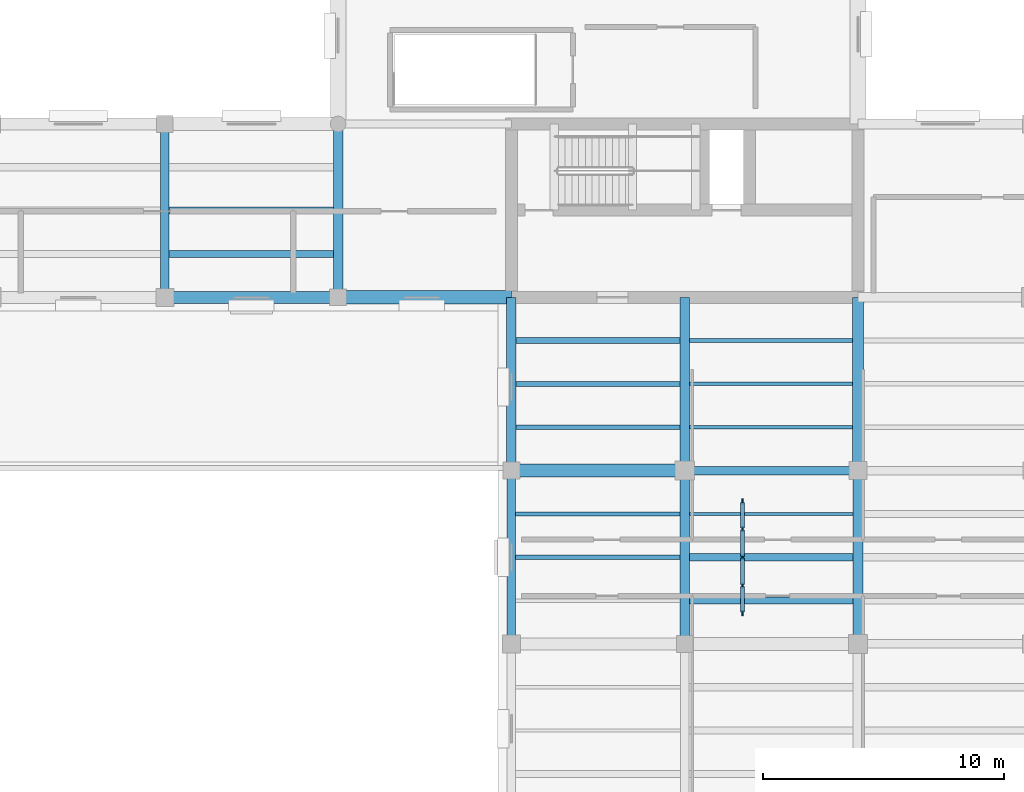
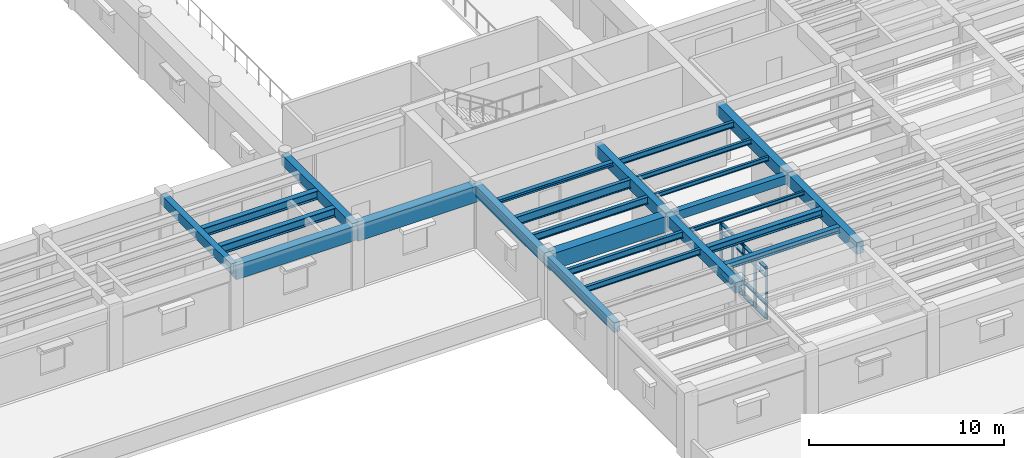
# One storey, part 8 of 76: 25 beams, 21 members, 1 element without a shape of its own.
"""IFC4 building model written with IfcOpenShell, lengths in metres."""

from ifc_helpers import new_model, si_unit, direction, frame, origin, origin_2d, place, context, subcontext, project, spatial, rectangle, i_section, extrude, material, material_profile, profile_set, type_object, element, aggregate, save


model = new_model("IFC4")

# Units and contexts
model_context = context("Model", 3, precision=1e-05, world=origin(), true_north=direction((0.0, 1.0)))
body_context = subcontext(model_context, "Body", "Model", "MODEL_VIEW")
ifc_project = project(units=[si_unit("LENGTHUNIT", "METRE"), si_unit("AREAUNIT", "SQUARE_METRE"), si_unit("VOLUMEUNIT", "CUBIC_METRE"), si_unit("PLANEANGLEUNIT", "RADIAN"), si_unit("MASSUNIT", "GRAM", prefix="KILO")], contexts=[model_context])

# Site, building, storey
site_placement = place(None, origin())
site = spatial("IfcSite", under=ifc_project, at=site_placement, CompositionType="ELEMENT")
building_placement = place(site_placement, origin())
building = spatial("IfcBuilding", under=site, at=building_placement, Name="Mithqara Police Headquarters", CompositionType="ELEMENT")
storey_placement = place(building_placement, frame((0.0, 0.0, 5.39990234375)))
storey = spatial("IfcBuildingStorey", under=building, at=storey_placement, Name="L01", CompositionType="ELEMENT", Elevation=5.39990234375)

# Beams
ifc_material_1 = material(Name="Steel S355JR", Category="steel")
ifc_material_profile_1 = material_profile(ifc_material_1, i_section(OverallWidth=0.300048828125, OverallDepth=0.360107421875, WebThickness=0.012451171875, FlangeThickness=0.0224609375, FilletRadius=0.027099609375, at=origin_2d()), Name="HEB 360")
ifc_profile_set_1 = profile_set([ifc_material_profile_1], Name="Steel S355JR")
beam_type_1 = type_object("IfcBeamType", Name="BEAM HEB360", PredefinedType="BEAM", material=ifc_profile_set_1)
beam_1_placement = place(storey_placement, frame((87.199951171875, 15.60009765625, 3.739990234375), z_axis=(1.0, 0.0, 0.0), x_axis=(0.0, 1.0, 0.0)))
element("IfcBeam", 1, at=beam_1_placement, inside=storey, type_object=beam_type_1, Name="L01 Composite Steel Joist 13-14/C.1", PredefinedType="BEAM", context=body_context, shape_type="SweptSolid", body=[
    extrude(i_section(OverallWidth=0.300048828125, OverallDepth=0.360107421875, WebThickness=0.012451171875, FlangeThickness=0.0224609375, FilletRadius=0.027099609375, at=origin_2d()), origin(), (0.0, 0.0, 1.0), 6.800048828125),
])
ifc_material_profile_2 = material_profile(ifc_material_1, i_section(OverallWidth=0.300048828125, OverallDepth=0.449951171875, WebThickness=0.013916015625, FlangeThickness=0.02587890625, FilletRadius=0.027099609375, at=origin_2d()), Name="HEB 450")
ifc_profile_set_2 = profile_set([ifc_material_profile_2], Name="Steel S355JR")
beam_type_2 = type_object("IfcBeamType", Name="BEAM HEB450", PredefinedType="BEAM", material=ifc_profile_set_2)
beam_2_placement = place(storey_placement, frame((87.199951171875, 17.39990234375, 3.695068359375), z_axis=(1.0, 0.0, 0.0), x_axis=(0.0, 1.0, 0.0)))
element("IfcBeam", 2, at=beam_2_placement, inside=storey, type_object=beam_type_2, Name="L01 Composite Steel Joist 13-14/C.2", PredefinedType="BEAM", context=body_context, shape_type="SweptSolid", body=[
    extrude(i_section(OverallWidth=0.300048828125, OverallDepth=0.449951171875, WebThickness=0.013916015625, FlangeThickness=0.02587890625, FilletRadius=0.027099609375, at=origin_2d()), origin(), (0.0, 0.0, 1.0), 6.800048828125),
])
ifc_material_profile_3 = material_profile(ifc_material_1, i_section(OverallWidth=0.300048828125, OverallDepth=0.550048828125, WebThickness=0.014892578125, FlangeThickness=0.029052734375, FilletRadius=0.027099609375, at=origin_2d()), Name="HEB 550")
ifc_profile_set_3 = profile_set([ifc_material_profile_3], Name="Steel S355JR")
beam_type_3 = type_object("IfcBeamType", Name="BEAM HEB550", PredefinedType="BEAM", material=ifc_profile_set_3)
for number, where, z_axis, x_axis, name in (
    (3, (65.574951171875, 30.0, 3.64501953125), (1.0, 0.0, 0.0), (0.0, 1.0, 0.0), "L01 Composite Steel Joist 10-11/E.1"),
    (4, (65.574951171875, 31.800048828125, 3.64501953125), (1.0, 0.0, 0.0), (0.0, 1.0, 0.0), "L01 Composite Steel Joist 10-11/E.2"),
):
    element("IfcBeam", number, at=place(storey_placement, frame(where, z_axis=z_axis, x_axis=x_axis)), inside=storey, type_object=beam_type_3, Name=name, PredefinedType="BEAM", context=body_context, shape_type="SweptSolid", body=[
        extrude(i_section(OverallWidth=0.300048828125, OverallDepth=0.550048828125, WebThickness=0.014892578125, FlangeThickness=0.029052734375, FilletRadius=0.027099609375, at=origin_2d()), origin(), (0.0, 0.0, 1.0), 6.824951171875),
    ])
ifc_material_2 = material(Name="Concrete C40/50", Category="concrete")
ifc_material_profile_4 = material_profile(ifc_material_2, rectangle(XDim=0.35009765625, YDim=0.550048828125, at=origin_2d()), Name="RC 350x550")
ifc_profile_set_4 = profile_set([ifc_material_profile_4], Name="Concrete C40/50")
beam_type_4 = type_object("IfcBeamType", Name="BEAM RC350X550", PredefinedType="BEAM", material=ifc_profile_set_4)
beam_3_placement = place(storey_placement, frame((87.0, 21.0, 3.64501953125), z_axis=(1.0, 0.0, 0.0), x_axis=(0.0, 1.0, 0.0)))
element("IfcBeam", 5, at=beam_3_placement, inside=storey, type_object=beam_type_4, Name="L01 Girder 13-14/D", PredefinedType="BEAM", context=body_context, shape_type="SweptSolid", body=[
    extrude(rectangle(XDim=0.35009765625, YDim=0.550048828125, at=origin_2d()), origin(), (0.0, 0.0, 1.0), 7.199951171875),
])
ifc_material_profile_5 = material_profile(ifc_material_2, rectangle(XDim=0.35009765625, YDim=0.60009765625, at=origin_2d()), Name="RC 350x600")
ifc_profile_set_5 = profile_set([ifc_material_profile_5], Name="Concrete C40/50")
beam_type_5 = type_object("IfcBeamType", Name="BEAM RC350X600", PredefinedType="BEAM", material=ifc_profile_set_5)
for number, where, z_axis, x_axis, name in (
    (6, (65.39990234375, 28.199951171875, 3.6201171875), (0.0, 1.0, 0.0), (-1.0, 0.0, 0.0), "L01 Girder 10/E-F"),
    (7, (79.800048828125, 13.800048828125, 3.6201171875), (0.0, 1.0, 0.0), (-1.0, 0.0, 0.0), "L01 Girder 12/C-D"),
):
    element("IfcBeam", number, at=place(storey_placement, frame(where, z_axis=z_axis, x_axis=x_axis)), inside=storey, type_object=beam_type_5, Name=name, PredefinedType="BEAM", context=body_context, shape_type="SweptSolid", body=[
        extrude(rectangle(XDim=0.35009765625, YDim=0.60009765625, at=origin_2d()), origin(), (0.0, 0.0, 1.0), 7.199951171875),
    ])
ifc_material_profile_6 = material_profile(ifc_material_2, rectangle(XDim=0.39990234375, YDim=0.64990234375, at=origin_2d()), Name="RC 400x650")
ifc_profile_set_6 = profile_set([ifc_material_profile_6], Name="Concrete C40/50")
beam_type_6 = type_object("IfcBeamType", Name="BEAM RC400X650", PredefinedType="BEAM", material=ifc_profile_set_6)
for number, where, z_axis, x_axis, name in (
    (8, (72.60009765625, 28.199951171875, 3.59521484375), (0.0, 1.0, 0.0), (-1.0, 0.0, 0.0), "L01 Girder 11/E-F"),
    (9, (79.800048828125, 21.0, 3.59521484375), (0.0, 1.0, 0.0), (-1.0, 0.0, 0.0), "L01 Girder 12/D-E"),
    (10, (87.0, 13.800048828125, 3.59521484375), (0.0, 1.0, 0.0), (-1.0, 0.0, 0.0), "L01 Girder 13/C-D"),
):
    element("IfcBeam", number, at=place(storey_placement, frame(where, z_axis=z_axis, x_axis=x_axis)), inside=storey, type_object=beam_type_6, Name=name, PredefinedType="BEAM", context=body_context, shape_type="SweptSolid", body=[
        extrude(rectangle(XDim=0.39990234375, YDim=0.64990234375, at=origin_2d()), origin(), (0.0, 0.0, 1.0), 7.199951171875),
    ])
ifc_material_profile_7 = material_profile(ifc_material_2, rectangle(XDim=0.39990234375, YDim=0.75, at=origin_2d()), Name="RC 400x750")
ifc_profile_set_7 = profile_set([ifc_material_profile_7], Name="Concrete C40/50")
beam_type_7 = type_object("IfcBeamType", Name="BEAM RC400X750", PredefinedType="BEAM", material=ifc_profile_set_7)
for number, where, z_axis, x_axis, name in (
    (11, (87.0, 21.0, 3.545166015625), (0.0, 1.0, 0.0), (-1.0, 0.0, 0.0), "L01 Girder 13/D-E"),
    (12, (94.199951171875, 13.800048828125, 3.545166015625), (0.0, 1.0, 0.0), (-1.0, 0.0, 0.0), "L01 Girder 14/C-D"),
):
    element("IfcBeam", number, at=place(storey_placement, frame(where, z_axis=z_axis, x_axis=x_axis)), inside=storey, type_object=beam_type_7, Name=name, PredefinedType="BEAM", context=body_context, shape_type="SweptSolid", body=[
        extrude(rectangle(XDim=0.39990234375, YDim=0.75, at=origin_2d()), origin(), (0.0, 0.0, 1.0), 7.199951171875),
    ])
ifc_material_profile_8 = material_profile(ifc_material_2, rectangle(XDim=0.449951171875, YDim=0.699951171875, at=origin_2d()), Name="RC 450x700")
ifc_profile_set_8 = profile_set([ifc_material_profile_8], Name="Concrete C40/50")
beam_type_8 = type_object("IfcBeamType", Name="BEAM RC450X700", PredefinedType="BEAM", material=ifc_profile_set_8)
beam_4_placement = place(storey_placement, frame((94.199951171875, 21.0, 3.570068359375), z_axis=(0.0, 1.0, 0.0), x_axis=(-1.0, 0.0, 0.0)))
element("IfcBeam", 13, at=beam_4_placement, inside=storey, type_object=beam_type_8, Name="L01 Girder 14/D-E", PredefinedType="BEAM", context=body_context, shape_type="SweptSolid", body=[
    extrude(rectangle(XDim=0.449951171875, YDim=0.699951171875, at=origin_2d()), origin(), (0.0, 0.0, 1.0), 7.199951171875),
])
ifc_material_3 = material(Name="Concrete C50/60", Category="concrete")
ifc_material_profile_9 = material_profile(ifc_material_3, rectangle(XDim=0.5, YDim=0.89990234375, at=origin_2d()), Name="RC 500x900")
ifc_profile_set_9 = profile_set([ifc_material_profile_9], Name="Concrete C50/60")
beam_type_9 = type_object("IfcBeamType", Name="BEAM RC500X900", PredefinedType="BEAM", material=ifc_profile_set_9)
beam_5_placement = place(storey_placement, frame((65.39990234375, 28.199951171875, 3.47021484375), z_axis=(1.0, 0.0, 0.0), x_axis=(0.0, 1.0, 0.0)))
element("IfcBeam", 14, at=beam_5_placement, inside=storey, type_object=beam_type_9, Name="L01 Girder 10-11/E", PredefinedType="BEAM", context=body_context, shape_type="SweptSolid", body=[
    extrude(rectangle(XDim=0.5, YDim=0.89990234375, at=origin_2d()), origin(), (0.0, 0.0, 1.0), 7.2001953125),
])
ifc_material_profile_10 = material_profile(ifc_material_3, rectangle(XDim=0.550048828125, YDim=1.0, at=origin_2d()), Name="RC 550x1000")
ifc_profile_set_10 = profile_set([ifc_material_profile_10], Name="Concrete C50/60")
beam_type_10 = type_object("IfcBeamType", Name="BEAM RC550X1000", PredefinedType="BEAM", material=ifc_profile_set_10)
for number, where, z_axis, x_axis, name in (
    (15, (72.60009765625, 28.199951171875, 3.420166015625), (1.0, 0.0, 0.0), (0.0, 1.0, 0.0), "L01 Girder 11-12/E"),
    (16, (79.800048828125, 21.0, 3.420166015625), (1.0, 0.0, 0.0), (0.0, 1.0, 0.0), "L01 Girder 12-13/D"),
):
    element("IfcBeam", number, at=place(storey_placement, frame(where, z_axis=z_axis, x_axis=x_axis)), inside=storey, type_object=beam_type_10, Name=name, PredefinedType="BEAM", context=body_context, shape_type="SweptSolid", body=[
        extrude(rectangle(XDim=0.550048828125, YDim=1.0, at=origin_2d()), origin(), (0.0, 0.0, 1.0), 7.199951171875),
    ])

# Curtain wall, members
ifc_material_4 = material(Name="Bronze anodised aluminium 6063-T6", Category="aluminium")
curtain_wall_type = type_object("IfcCurtainWallType", Name="CURTAIN WALL 4700X3200", PredefinedType="USERDEFINED", material=ifc_material_4)
curtain_wall_placement = place(storey_placement, origin())
curtain_wall = element("IfcCurtainWall", 17, at=curtain_wall_placement, inside=storey, type_object=curtain_wall_type, Name="L01 Unitised Glazing CW-15 (CW-INT-L01-X12-Y02-0)", ObjectType="UNITISED GLAZING", PredefinedType="USERDEFINED")
ifc_material_profile_11 = material_profile(ifc_material_4, rectangle(XDim=0.074951171875, YDim=0.219970703125, at=origin_2d()), Name="CWM 75x220")
ifc_profile_set_11 = profile_set([ifc_material_profile_11], Name="Bronze anodised aluminium 6063-T6")
member_type_1 = type_object("IfcMemberType", Name="CWMULLION 75X220", PredefinedType="MULLION", material=ifc_profile_set_11)
member_1_placement = place(storey_placement, frame((89.39990234375, 15.08740234375, 0.0), z_axis=(0.0, 0.0, 1.0), x_axis=(-1.0, 0.0, 0.0)))
member_1 = element("IfcMember", 18, at=member_1_placement, type_object=member_type_1, Name="CW-15 mullion 1", PredefinedType="MULLION", context=body_context, shape_type="SweptSolid", body=[
    extrude(rectangle(XDim=0.074951171875, YDim=0.219970703125, at=origin_2d()), origin(), (0.0, 0.0, 1.0), 3.2001953125),
])
member_2_placement = place(storey_placement, frame((89.39990234375, 16.22509765625, 0.0), z_axis=(0.0, 0.0, 1.0), x_axis=(-1.0, 0.0, 0.0)))
member_2 = element("IfcMember", 19, at=member_2_placement, type_object=member_type_1, Name="CW-15 mullion 2", PredefinedType="MULLION", context=body_context, shape_type="SweptSolid", body=[
    extrude(rectangle(XDim=0.074951171875, YDim=0.219970703125, at=origin_2d()), origin(), (0.0, 0.0, 1.0), 3.2001953125),
])
member_3_placement = place(storey_placement, frame((89.39990234375, 17.39990234375, 0.0), z_axis=(0.0, 0.0, 1.0), x_axis=(-1.0, 0.0, 0.0)))
member_3 = element("IfcMember", 20, at=member_3_placement, type_object=member_type_1, Name="CW-15 mullion 3", PredefinedType="MULLION", context=body_context, shape_type="SweptSolid", body=[
    extrude(rectangle(XDim=0.074951171875, YDim=0.219970703125, at=origin_2d()), origin(), (0.0, 0.0, 1.0), 3.2001953125),
])
member_4_placement = place(storey_placement, frame((89.39990234375, 18.574951171875, 0.0), z_axis=(0.0, 0.0, 1.0), x_axis=(-1.0, 0.0, 0.0)))
member_4 = element("IfcMember", 21, at=member_4_placement, type_object=member_type_1, Name="CW-15 mullion 4", PredefinedType="MULLION", context=body_context, shape_type="SweptSolid", body=[
    extrude(rectangle(XDim=0.074951171875, YDim=0.219970703125, at=origin_2d()), origin(), (0.0, 0.0, 1.0), 3.2001953125),
])
member_5_placement = place(storey_placement, frame((89.39990234375, 19.71240234375, 0.0), z_axis=(0.0, 0.0, 1.0), x_axis=(-1.0, 0.0, 0.0)))
member_5 = element("IfcMember", 22, at=member_5_placement, type_object=member_type_1, Name="CW-15 mullion 5", PredefinedType="MULLION", context=body_context, shape_type="SweptSolid", body=[
    extrude(rectangle(XDim=0.074951171875, YDim=0.219970703125, at=origin_2d()), origin(), (0.0, 0.0, 1.0), 3.2001953125),
])
ifc_material_profile_12 = material_profile(ifc_material_4, rectangle(XDim=0.179931640625, YDim=0.074951171875, at=origin_2d()), Name="CWT 180x75")
ifc_profile_set_12 = profile_set([ifc_material_profile_12], Name="Bronze anodised aluminium 6063-T6")
member_type_2 = type_object("IfcMemberType", Name="CWTRANSOM 180X75", PredefinedType="USERDEFINED", material=ifc_profile_set_12)
member_6_placement = place(storey_placement, frame((89.39990234375, 15.125, 0.03759765625), z_axis=(0.0, 1.0, 0.0), x_axis=(-1.0, 0.0, 0.0)))
member_6 = element("IfcMember", 23, at=member_6_placement, type_object=member_type_2, Name="CW-15 transom 1.1", ObjectType="TRANSOM", PredefinedType="USERDEFINED", context=body_context, shape_type="SweptSolid", body=[
    extrude(rectangle(XDim=0.179931640625, YDim=0.074951171875, at=origin_2d()), origin(), (0.0, 0.0, 1.0), 1.0625),
])
member_7_placement = place(storey_placement, frame((89.39990234375, 15.125, 0.900146484375), z_axis=(0.0, 1.0, 0.0), x_axis=(-1.0, 0.0, 0.0)))
member_7 = element("IfcMember", 24, at=member_7_placement, type_object=member_type_2, Name="CW-15 transom 1.2", ObjectType="TRANSOM", PredefinedType="USERDEFINED", context=body_context, shape_type="SweptSolid", body=[
    extrude(rectangle(XDim=0.179931640625, YDim=0.074951171875, at=origin_2d()), origin(), (0.0, 0.0, 1.0), 1.0625),
])
member_8_placement = place(storey_placement, frame((89.39990234375, 15.125, 2.650146484375), z_axis=(0.0, 1.0, 0.0), x_axis=(-1.0, 0.0, 0.0)))
member_8 = element("IfcMember", 25, at=member_8_placement, type_object=member_type_2, Name="CW-15 transom 1.3", ObjectType="TRANSOM", PredefinedType="USERDEFINED", context=body_context, shape_type="SweptSolid", body=[
    extrude(rectangle(XDim=0.179931640625, YDim=0.074951171875, at=origin_2d()), origin(), (0.0, 0.0, 1.0), 1.0625),
])
member_9_placement = place(storey_placement, frame((89.39990234375, 15.125, 3.16259765625), z_axis=(0.0, 1.0, 0.0), x_axis=(-1.0, 0.0, 0.0)))
member_9 = element("IfcMember", 26, at=member_9_placement, type_object=member_type_2, Name="CW-15 transom 1.4", ObjectType="TRANSOM", PredefinedType="USERDEFINED", context=body_context, shape_type="SweptSolid", body=[
    extrude(rectangle(XDim=0.179931640625, YDim=0.074951171875, at=origin_2d()), origin(), (0.0, 0.0, 1.0), 1.0625),
])
member_10_placement = place(storey_placement, frame((89.39990234375, 16.262451171875, 0.03759765625), z_axis=(0.0, 1.0, 0.0), x_axis=(-1.0, 0.0, 0.0)))
member_10 = element("IfcMember", 27, at=member_10_placement, type_object=member_type_2, Name="CW-15 transom 2.1", ObjectType="TRANSOM", PredefinedType="USERDEFINED", context=body_context, shape_type="SweptSolid", body=[
    extrude(rectangle(XDim=0.179931640625, YDim=0.074951171875, at=origin_2d()), origin(), (0.0, 0.0, 1.0), 1.10009765625),
])
member_11_placement = place(storey_placement, frame((89.39990234375, 16.262451171875, 0.900146484375), z_axis=(0.0, 1.0, 0.0), x_axis=(-1.0, 0.0, 0.0)))
member_11 = element("IfcMember", 28, at=member_11_placement, type_object=member_type_2, Name="CW-15 transom 2.2", ObjectType="TRANSOM", PredefinedType="USERDEFINED", context=body_context, shape_type="SweptSolid", body=[
    extrude(rectangle(XDim=0.179931640625, YDim=0.074951171875, at=origin_2d()), origin(), (0.0, 0.0, 1.0), 1.10009765625),
])
member_12_placement = place(storey_placement, frame((89.39990234375, 16.262451171875, 2.650146484375), z_axis=(0.0, 1.0, 0.0), x_axis=(-1.0, 0.0, 0.0)))
member_12 = element("IfcMember", 29, at=member_12_placement, type_object=member_type_2, Name="CW-15 transom 2.3", ObjectType="TRANSOM", PredefinedType="USERDEFINED", context=body_context, shape_type="SweptSolid", body=[
    extrude(rectangle(XDim=0.179931640625, YDim=0.074951171875, at=origin_2d()), origin(), (0.0, 0.0, 1.0), 1.10009765625),
])
member_13_placement = place(storey_placement, frame((89.39990234375, 16.262451171875, 3.16259765625), z_axis=(0.0, 1.0, 0.0), x_axis=(-1.0, 0.0, 0.0)))
member_13 = element("IfcMember", 30, at=member_13_placement, type_object=member_type_2, Name="CW-15 transom 2.4", ObjectType="TRANSOM", PredefinedType="USERDEFINED", context=body_context, shape_type="SweptSolid", body=[
    extrude(rectangle(XDim=0.179931640625, YDim=0.074951171875, at=origin_2d()), origin(), (0.0, 0.0, 1.0), 1.10009765625),
])
member_14_placement = place(storey_placement, frame((89.39990234375, 17.4375, 0.03759765625), z_axis=(0.0, 1.0, 0.0), x_axis=(-1.0, 0.0, 0.0)))
member_14 = element("IfcMember", 31, at=member_14_placement, type_object=member_type_2, Name="CW-15 transom 3.1", ObjectType="TRANSOM", PredefinedType="USERDEFINED", context=body_context, shape_type="SweptSolid", body=[
    extrude(rectangle(XDim=0.179931640625, YDim=0.074951171875, at=origin_2d()), origin(), (0.0, 0.0, 1.0), 1.10009765625),
])
member_15_placement = place(storey_placement, frame((89.39990234375, 17.4375, 0.900146484375), z_axis=(0.0, 1.0, 0.0), x_axis=(-1.0, 0.0, 0.0)))
member_15 = element("IfcMember", 32, at=member_15_placement, type_object=member_type_2, Name="CW-15 transom 3.2", ObjectType="TRANSOM", PredefinedType="USERDEFINED", context=body_context, shape_type="SweptSolid", body=[
    extrude(rectangle(XDim=0.179931640625, YDim=0.074951171875, at=origin_2d()), origin(), (0.0, 0.0, 1.0), 1.10009765625),
])
member_16_placement = place(storey_placement, frame((89.39990234375, 17.4375, 2.650146484375), z_axis=(0.0, 1.0, 0.0), x_axis=(-1.0, 0.0, 0.0)))
member_16 = element("IfcMember", 33, at=member_16_placement, type_object=member_type_2, Name="CW-15 transom 3.3", ObjectType="TRANSOM", PredefinedType="USERDEFINED", context=body_context, shape_type="SweptSolid", body=[
    extrude(rectangle(XDim=0.179931640625, YDim=0.074951171875, at=origin_2d()), origin(), (0.0, 0.0, 1.0), 1.10009765625),
])
member_17_placement = place(storey_placement, frame((89.39990234375, 17.4375, 3.16259765625), z_axis=(0.0, 1.0, 0.0), x_axis=(-1.0, 0.0, 0.0)))
member_17 = element("IfcMember", 34, at=member_17_placement, type_object=member_type_2, Name="CW-15 transom 3.4", ObjectType="TRANSOM", PredefinedType="USERDEFINED", context=body_context, shape_type="SweptSolid", body=[
    extrude(rectangle(XDim=0.179931640625, YDim=0.074951171875, at=origin_2d()), origin(), (0.0, 0.0, 1.0), 1.10009765625),
])
member_18_placement = place(storey_placement, frame((89.39990234375, 18.612548828125, 0.03759765625), z_axis=(0.0, 1.0, 0.0), x_axis=(-1.0, 0.0, 0.0)))
member_18 = element("IfcMember", 35, at=member_18_placement, type_object=member_type_2, Name="CW-15 transom 4.1", ObjectType="TRANSOM", PredefinedType="USERDEFINED", context=body_context, shape_type="SweptSolid", body=[
    extrude(rectangle(XDim=0.179931640625, YDim=0.074951171875, at=origin_2d()), origin(), (0.0, 0.0, 1.0), 1.0625),
])
member_19_placement = place(storey_placement, frame((89.39990234375, 18.612548828125, 0.900146484375), z_axis=(0.0, 1.0, 0.0), x_axis=(-1.0, 0.0, 0.0)))
member_19 = element("IfcMember", 36, at=member_19_placement, type_object=member_type_2, Name="CW-15 transom 4.2", ObjectType="TRANSOM", PredefinedType="USERDEFINED", context=body_context, shape_type="SweptSolid", body=[
    extrude(rectangle(XDim=0.179931640625, YDim=0.074951171875, at=origin_2d()), origin(), (0.0, 0.0, 1.0), 1.0625),
])
member_20_placement = place(storey_placement, frame((89.39990234375, 18.612548828125, 2.650146484375), z_axis=(0.0, 1.0, 0.0), x_axis=(-1.0, 0.0, 0.0)))
member_20 = element("IfcMember", 37, at=member_20_placement, type_object=member_type_2, Name="CW-15 transom 4.3", ObjectType="TRANSOM", PredefinedType="USERDEFINED", context=body_context, shape_type="SweptSolid", body=[
    extrude(rectangle(XDim=0.179931640625, YDim=0.074951171875, at=origin_2d()), origin(), (0.0, 0.0, 1.0), 1.0625),
])
member_21_placement = place(storey_placement, frame((89.39990234375, 18.612548828125, 3.16259765625), z_axis=(0.0, 1.0, 0.0), x_axis=(-1.0, 0.0, 0.0)))
member_21 = element("IfcMember", 38, at=member_21_placement, type_object=member_type_2, Name="CW-15 transom 4.4", ObjectType="TRANSOM", PredefinedType="USERDEFINED", context=body_context, shape_type="SweptSolid", body=[
    extrude(rectangle(XDim=0.179931640625, YDim=0.074951171875, at=origin_2d()), origin(), (0.0, 0.0, 1.0), 1.0625),
])
aggregate(curtain_wall, [member_1, member_2, member_3, member_4, member_5, member_6, member_7, member_8, member_9, member_10, member_11, member_12, member_13, member_14, member_15, member_16, member_17, member_18, member_19, member_20, member_21])

# Beams
ifc_material_profile_13 = material_profile(ifc_material_1, i_section(OverallWidth=0.260009765625, OverallDepth=0.25, WebThickness=0.007568359375, FlangeThickness=0.012451171875, FilletRadius=0.02392578125, at=origin_2d()), Name="HEA 260")
ifc_profile_set_13 = profile_set([ifc_material_profile_13], Name="Steel S355JR")
beam_type_11 = type_object("IfcBeamType", Name="JOIST HEA260", PredefinedType="JOIST", material=ifc_profile_set_13)
beam_6_placement = place(storey_placement, frame((80.0, 26.39990234375, 3.795166015625), z_axis=(1.0, 0.0, 0.0), x_axis=(0.0, 1.0, 0.0)))
element("IfcBeam", 39, at=beam_6_placement, inside=storey, type_object=beam_type_11, Name="L01 Composite Steel Joist 12-13/D.3", PredefinedType="JOIST", context=body_context, shape_type="SweptSolid", body=[
    extrude(i_section(OverallWidth=0.260009765625, OverallDepth=0.25, WebThickness=0.007568359375, FlangeThickness=0.012451171875, FilletRadius=0.02392578125, at=origin_2d()), origin(), (0.0, 0.0, 1.0), 6.800048828125),
])
ifc_material_profile_14 = material_profile(ifc_material_1, i_section(OverallWidth=0.1201171875, OverallDepth=0.239990234375, WebThickness=0.006103515625, FlangeThickness=0.009765625, FilletRadius=0.014892578125, at=origin_2d()), Name="IPE 240")
ifc_profile_set_14 = profile_set([ifc_material_profile_14], Name="Steel S355JR")
beam_type_12 = type_object("IfcBeamType", Name="JOIST IPE240", PredefinedType="JOIST", material=ifc_profile_set_14)
beam_7_placement = place(storey_placement, frame((87.199951171875, 19.199951171875, 3.800048828125), z_axis=(1.0, 0.0, 0.0), x_axis=(0.0, 1.0, 0.0)))
element("IfcBeam", 40, at=beam_7_placement, inside=storey, type_object=beam_type_12, Name="L01 Composite Steel Joist 13-14/C.3", PredefinedType="JOIST", context=body_context, shape_type="SweptSolid", body=[
    extrude(i_section(OverallWidth=0.1201171875, OverallDepth=0.239990234375, WebThickness=0.006103515625, FlangeThickness=0.009765625, FilletRadius=0.014892578125, at=origin_2d()), origin(), (0.0, 0.0, 1.0), 6.800048828125),
])
ifc_material_profile_15 = material_profile(ifc_material_1, i_section(OverallWidth=0.135009765625, OverallDepth=0.27001953125, WebThickness=0.006591796875, FlangeThickness=0.01025390625, FilletRadius=0.014892578125, at=origin_2d()), Name="IPE 270")
ifc_profile_set_15 = profile_set([ifc_material_profile_15], Name="Steel S355JR")
beam_type_13 = type_object("IfcBeamType", Name="JOIST IPE270", PredefinedType="JOIST", material=ifc_profile_set_15)
beam_8_placement = place(storey_placement, frame((87.199951171875, 22.800048828125, 3.78515625), z_axis=(1.0, 0.0, 0.0), x_axis=(0.0, 1.0, 0.0)))
element("IfcBeam", 41, at=beam_8_placement, inside=storey, type_object=beam_type_13, Name="L01 Composite Steel Joist 13-14/D.1", PredefinedType="JOIST", context=body_context, shape_type="SweptSolid", body=[
    extrude(i_section(OverallWidth=0.135009765625, OverallDepth=0.27001953125, WebThickness=0.006591796875, FlangeThickness=0.01025390625, FilletRadius=0.014892578125, at=origin_2d()), origin(), (0.0, 0.0, 1.0), 6.775146484375),
])
ifc_material_profile_16 = material_profile(ifc_material_1, i_section(OverallWidth=0.14990234375, OverallDepth=0.300048828125, WebThickness=0.007080078125, FlangeThickness=0.0107421875, FilletRadius=0.014892578125, at=origin_2d()), Name="IPE 300")
ifc_profile_set_16 = profile_set([ifc_material_profile_16], Name="Steel S355JR")
beam_type_14 = type_object("IfcBeamType", Name="JOIST IPE300", PredefinedType="JOIST", material=ifc_profile_set_16)
beam_9_placement = place(storey_placement, frame((87.199951171875, 24.60009765625, 3.77001953125), z_axis=(1.0, 0.0, 0.0), x_axis=(0.0, 1.0, 0.0)))
element("IfcBeam", 42, at=beam_9_placement, inside=storey, type_object=beam_type_14, Name="L01 Composite Steel Joist 13-14/D.2", PredefinedType="JOIST", context=body_context, shape_type="SweptSolid", body=[
    extrude(i_section(OverallWidth=0.14990234375, OverallDepth=0.300048828125, WebThickness=0.007080078125, FlangeThickness=0.0107421875, FilletRadius=0.014892578125, at=origin_2d()), origin(), (0.0, 0.0, 1.0), 6.775146484375),
])
ifc_material_profile_17 = material_profile(ifc_material_1, i_section(OverallWidth=0.169921875, OverallDepth=0.360107421875, WebThickness=0.008056640625, FlangeThickness=0.0126953125, FilletRadius=0.01806640625, at=origin_2d()), Name="IPE 360")
ifc_profile_set_17 = profile_set([ifc_material_profile_17], Name="Steel S355JR")
beam_type_15 = type_object("IfcBeamType", Name="JOIST IPE360", PredefinedType="JOIST", material=ifc_profile_set_17)
beam_10_placement = place(storey_placement, frame((79.97509765625, 17.39990234375, 3.739990234375), z_axis=(1.0, 0.0, 0.0), x_axis=(0.0, 1.0, 0.0)))
element("IfcBeam", 43, at=beam_10_placement, inside=storey, type_object=beam_type_15, Name="L01 Composite Steel Joist 12-13/C.2", PredefinedType="JOIST", context=body_context, shape_type="SweptSolid", body=[
    extrude(i_section(OverallWidth=0.169921875, OverallDepth=0.360107421875, WebThickness=0.008056640625, FlangeThickness=0.0126953125, FilletRadius=0.01806640625, at=origin_2d()), origin(), (0.0, 0.0, 1.0), 6.824951171875),
])
beam_11_placement = place(storey_placement, frame((87.199951171875, 26.39990234375, 3.739990234375), z_axis=(1.0, 0.0, 0.0), x_axis=(0.0, 1.0, 0.0)))
element("IfcBeam", 44, at=beam_11_placement, inside=storey, type_object=beam_type_15, Name="L01 Composite Steel Joist 13-14/D.3", PredefinedType="JOIST", context=body_context, shape_type="SweptSolid", body=[
    extrude(i_section(OverallWidth=0.169921875, OverallDepth=0.360107421875, WebThickness=0.008056640625, FlangeThickness=0.0126953125, FilletRadius=0.01806640625, at=origin_2d()), origin(), (0.0, 0.0, 1.0), 6.775146484375),
])
ifc_material_profile_18 = material_profile(ifc_material_1, i_section(OverallWidth=0.179931640625, OverallDepth=0.39990234375, WebThickness=0.008544921875, FlangeThickness=0.013427734375, FilletRadius=0.02099609375, at=origin_2d()), Name="IPE 400")
ifc_profile_set_18 = profile_set([ifc_material_profile_18], Name="Steel S355JR")
beam_type_16 = type_object("IfcBeamType", Name="JOIST IPE400", PredefinedType="JOIST", material=ifc_profile_set_18)
beam_12_placement = place(storey_placement, frame((79.97509765625, 19.199951171875, 3.72021484375), z_axis=(1.0, 0.0, 0.0), x_axis=(0.0, 1.0, 0.0)))
element("IfcBeam", 45, at=beam_12_placement, inside=storey, type_object=beam_type_16, Name="L01 Composite Steel Joist 12-13/C.3", PredefinedType="JOIST", context=body_context, shape_type="SweptSolid", body=[
    extrude(i_section(OverallWidth=0.179931640625, OverallDepth=0.39990234375, WebThickness=0.008544921875, FlangeThickness=0.013427734375, FilletRadius=0.02099609375, at=origin_2d()), origin(), (0.0, 0.0, 1.0), 6.824951171875),
])
ifc_material_profile_19 = material_profile(ifc_material_1, i_section(OverallWidth=0.18994140625, OverallDepth=0.449951171875, WebThickness=0.009521484375, FlangeThickness=0.0146484375, FilletRadius=0.02099609375, at=origin_2d()), Name="IPE 450")
ifc_profile_set_19 = profile_set([ifc_material_profile_19], Name="Steel S355JR")
beam_type_17 = type_object("IfcBeamType", Name="JOIST IPE450", PredefinedType="JOIST", material=ifc_profile_set_19)
beam_13_placement = place(storey_placement, frame((80.0, 22.800048828125, 3.695068359375), z_axis=(1.0, 0.0, 0.0), x_axis=(0.0, 1.0, 0.0)))
element("IfcBeam", 46, at=beam_13_placement, inside=storey, type_object=beam_type_17, Name="L01 Composite Steel Joist 12-13/D.1", PredefinedType="JOIST", context=body_context, shape_type="SweptSolid", body=[
    extrude(i_section(OverallWidth=0.18994140625, OverallDepth=0.449951171875, WebThickness=0.009521484375, FlangeThickness=0.0146484375, FilletRadius=0.02099609375, at=origin_2d()), origin(), (0.0, 0.0, 1.0), 6.800048828125),
])
ifc_material_profile_20 = material_profile(ifc_material_1, i_section(OverallWidth=0.2099609375, OverallDepth=0.550048828125, WebThickness=0.010986328125, FlangeThickness=0.01708984375, FilletRadius=0.02392578125, at=origin_2d()), Name="IPE 550")
ifc_profile_set_20 = profile_set([ifc_material_profile_20], Name="Steel S355JR")
beam_type_18 = type_object("IfcBeamType", Name="JOIST IPE550", PredefinedType="JOIST", material=ifc_profile_set_20)
beam_14_placement = place(storey_placement, frame((80.0, 24.60009765625, 3.64501953125), z_axis=(1.0, 0.0, 0.0), x_axis=(0.0, 1.0, 0.0)))
element("IfcBeam", 47, at=beam_14_placement, inside=storey, type_object=beam_type_18, Name="L01 Composite Steel Joist 12-13/D.2", PredefinedType="JOIST", context=body_context, shape_type="SweptSolid", body=[
    extrude(i_section(OverallWidth=0.2099609375, OverallDepth=0.550048828125, WebThickness=0.010986328125, FlangeThickness=0.01708984375, FilletRadius=0.02392578125, at=origin_2d()), origin(), (0.0, 0.0, 1.0), 6.800048828125),
])

save(model, "model.ifc")
